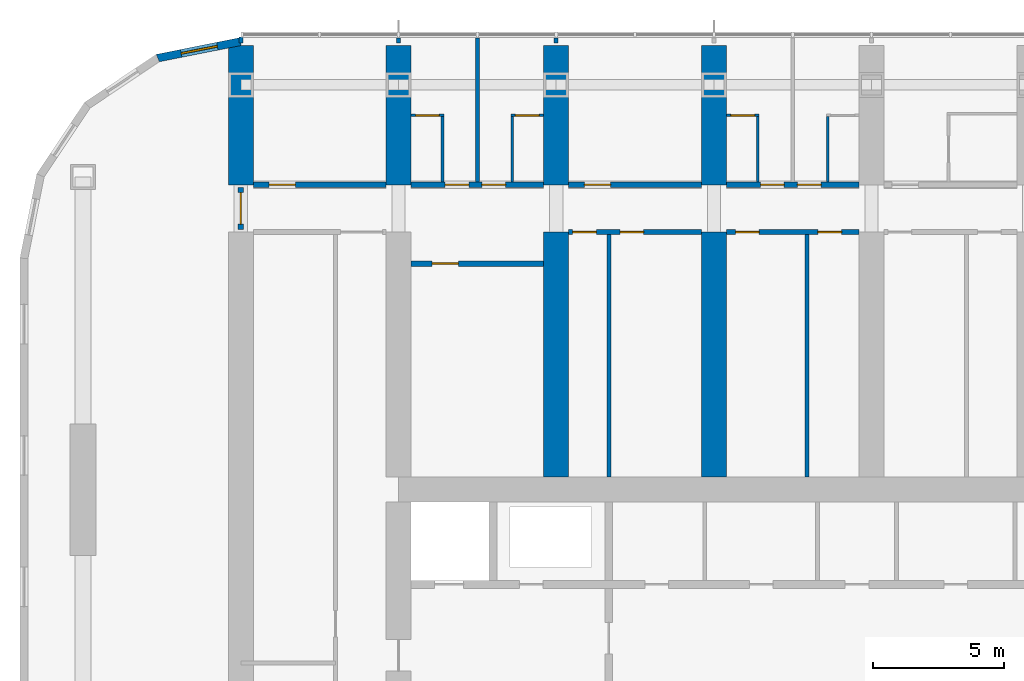
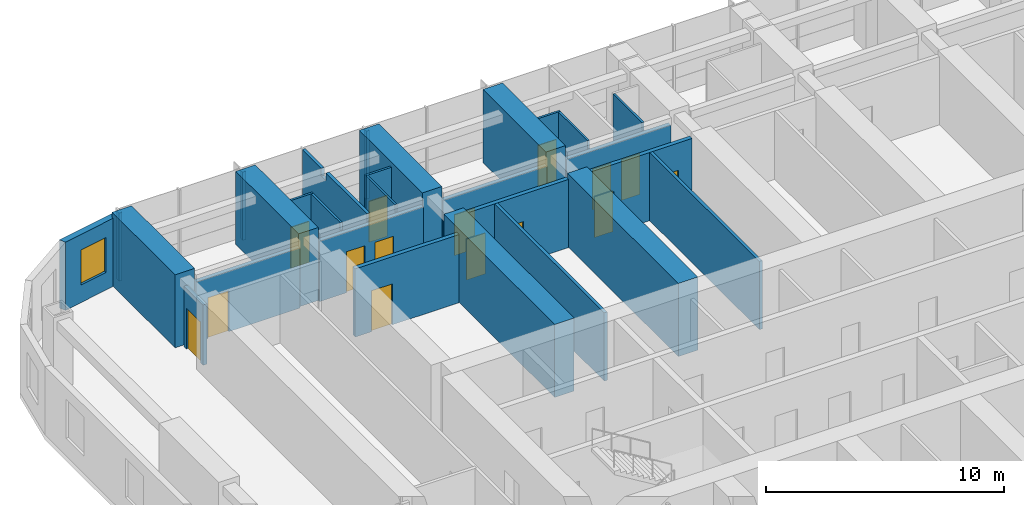
# One storey, part 13 of 21: 28 walls, 15 doors, 1 window, 16 openings.
"""IFC4 building model written with IfcOpenShell, lengths in metres."""

from ifc_helpers import new_model, si_unit, direction, frame, frame_2d, origin, place, context, subcontext, project, spatial, polyline, rectangle, outline, extrude, material, layer, layer_set, type_object, element, fill, save


model = new_model("IFC4")

# Units and contexts
model_context = context("Model", 3, precision=1e-05, world=origin(), true_north=direction((0.0, 1.0)))
body_context = subcontext(model_context, "Body", "Model", "MODEL_VIEW")
ifc_project = project(units=[si_unit("LENGTHUNIT", "METRE"), si_unit("AREAUNIT", "SQUARE_METRE"), si_unit("VOLUMEUNIT", "CUBIC_METRE"), si_unit("PLANEANGLEUNIT", "RADIAN"), si_unit("MASSUNIT", "GRAM", prefix="KILO")], contexts=[model_context])

# Site, building, storey
site_placement = place(None, origin())
site = spatial("IfcSite", under=ifc_project, at=site_placement, CompositionType="ELEMENT")
building_placement = place(site_placement, origin())
building = spatial("IfcBuilding", under=site, at=building_placement, Name="Orbita Commons", CompositionType="ELEMENT")
storey_placement = place(building_placement, frame((0.0, 0.0, 125.64990234375)))
storey = spatial("IfcBuildingStorey", under=building, at=storey_placement, Name="L31", CompositionType="ELEMENT", Elevation=125.64990234375)

# Wall, opening, door
ifc_material_1 = material(Name="Concrete blockwork", Category="masonry")
ifc_layer_1 = layer(ifc_material_1, 0.199951171875)
ifc_layer_set_1 = layer_set([ifc_layer_1], Name="Concrete blockwork")
wall_type_1 = type_object("IfcWallType", Name="Corridor wall 200 blockwork", PredefinedType="SOLIDWALL", material=ifc_layer_set_1)
wall_1_placement = place(storey_placement, frame((12.47509765625, 49.800048828125, 0.0), z_axis=(0.0, 0.0, 1.0), x_axis=(1.0, 0.0, 0.0)))
wall_1 = element("IfcWall", 1, at=wall_1_placement, inside=storey, type_object=wall_type_1, Name="Corridor wall 200 blockwork L31", PredefinedType="SOLIDWALL", context=body_context, shape_type="SweptSolid", body=[
    extrude(outline(polyline([(0.0, 0.0), (5.0498046875, 0.0), (5.050048828125, 3.10009765625), (0.0, 3.10009765625), (0.0, 0.0)])), frame((0.0, 0.10009765625, 0.0), z_axis=(0.0, -1.0, 0.0), x_axis=(1.0, 0.0, 0.0)), (0.0, 0.0, 1.0), 0.199951171875),
])
opening_1_placement = place(wall_1_placement, frame((0.60009765625, 0.0, 0.0)))
opening_1 = element("IfcOpeningElement", 2, at=opening_1_placement, cuts=wall_1, Name="Opening D06", PredefinedType="OPENING", context=body_context, shape_type="SweptSolid", body=[
    extrude(rectangle(XDim=1.0, YDim=2.10009765625, at=frame_2d((0.5, 1.050048828125))), frame((0.0, 0.10986328125, 0.0), z_axis=(0.0, -1.0, 0.0), x_axis=(1.0, 0.0, 0.0)), (0.0, 0.0, 1.0), 0.219970703125),
])
ifc_material_2 = material(Name="Steel-faced fire door leaf", Category="steel")
door_type_1 = type_object("IfcDoorType", Name="Corridor door 20 min 1000x2100", OperationType="SINGLE_SWING_LEFT", PredefinedType="DOOR", material=ifc_material_2)
door_1_placement = place(opening_1_placement, origin())
door_1 = element("IfcDoor", 3, at=door_1_placement, inside=storey, type_object=door_type_1, Name="Sea-view lounge L31-N00 door", OperationType="SINGLE_SWING_LEFT", OverallHeight=2.10009765625, OverallWidth=1.0, PredefinedType="DOOR", context=body_context, shape_type="SweptSolid", body=[
    extrude(rectangle(XDim=1.0, YDim=2.10009765625, at=frame_2d((0.5, 1.050048828125))), frame((0.0, 0.02490234375, 0.0), z_axis=(0.0, -1.0, 0.0), x_axis=(1.0, 0.0, 0.0)), (0.0, 0.0, 1.0), 0.050048828125),
])
fill(opening_1, door_1)

# Wall, openings, doors
wall_2_placement = place(storey_placement, frame((18.47509765625, 49.800048828125, 0.0), z_axis=(0.0, 0.0, 1.0), x_axis=(1.0, 0.0, 0.0)))
wall_2 = element("IfcWall", 4, at=wall_2_placement, inside=storey, type_object=wall_type_1, Name="Corridor wall 200 blockwork L31", PredefinedType="SOLIDWALL", context=body_context, shape_type="SweptSolid", body=[
    extrude(outline(polyline([(0.0, 0.0), (5.0498046875, 0.0), (5.050048828125, 3.10009765625), (0.0, 3.10009765625), (0.0, 0.0)])), frame((0.0, 0.10009765625, 0.0), z_axis=(0.0, -1.0, 0.0), x_axis=(1.0, 0.0, 0.0)), (0.0, 0.0, 1.0), 0.199951171875),
])
opening_2_placement = place(wall_2_placement, frame((1.300048828125, 0.0, 0.0)))
opening_2 = element("IfcOpeningElement", 5, at=opening_2_placement, cuts=wall_2, Name="Opening D11", PredefinedType="OPENING", context=body_context, shape_type="SweptSolid", body=[
    extrude(rectangle(XDim=0.89990234375, YDim=2.10009765625, at=frame_2d((0.449951171875, 1.050048828125))), frame((0.0, 0.10986328125, 0.0), z_axis=(0.0, -1.0, 0.0), x_axis=(1.0, 0.0, 0.0)), (0.0, 0.0, 1.0), 0.219970703125),
])
opening_3_placement = place(wall_2_placement, frame((2.699951171875, 0.0, 0.0)))
opening_3 = element("IfcOpeningElement", 6, at=opening_3_placement, cuts=wall_2, Name="Opening D11", PredefinedType="OPENING", context=body_context, shape_type="SweptSolid", body=[
    extrude(rectangle(XDim=0.89990234375, YDim=2.10009765625, at=frame_2d((0.449951171875, 1.050048828125))), frame((0.0, 0.10986328125, 0.0), z_axis=(0.0, -1.0, 0.0), x_axis=(1.0, 0.0, 0.0)), (0.0, 0.0, 1.0), 0.219970703125),
])
ifc_material_3 = material(Name="Steel-faced fire door leaf", Category="steel")
door_type_2 = type_object("IfcDoorType", Name="Corridor door 20 min 900x2100", OperationType="SINGLE_SWING_LEFT", PredefinedType="DOOR", material=ifc_material_3)
door_2_placement = place(opening_2_placement, origin())
door_2 = element("IfcDoor", 7, at=door_2_placement, inside=storey, type_object=door_type_2, Name="Cluster bedroom L31-N02 door", OperationType="SINGLE_SWING_LEFT", OverallHeight=2.10009765625, OverallWidth=0.89990234375, PredefinedType="DOOR", context=body_context, shape_type="SweptSolid", body=[
    extrude(rectangle(XDim=0.89990234375, YDim=2.10009765625, at=frame_2d((0.449951171875, 1.050048828125))), frame((0.0, 0.02490234375, 0.0), z_axis=(0.0, -1.0, 0.0), x_axis=(1.0, 0.0, 0.0)), (0.0, 0.0, 1.0), 0.050048828125),
])
fill(opening_2, door_2)
door_3_placement = place(opening_3_placement, origin())
door_3 = element("IfcDoor", 8, at=door_3_placement, inside=storey, type_object=door_type_2, Name="Cluster bedroom L31-N03 door", OperationType="SINGLE_SWING_LEFT", OverallHeight=2.10009765625, OverallWidth=0.89990234375, PredefinedType="DOOR", context=body_context, shape_type="SweptSolid", body=[
    extrude(rectangle(XDim=0.89990234375, YDim=2.10009765625, at=frame_2d((0.449951171875, 1.050048828125))), frame((0.0, 0.02490234375, 0.0), z_axis=(0.0, -1.0, 0.0), x_axis=(1.0, 0.0, 0.0)), (0.0, 0.0, 1.0), 0.050048828125),
])
fill(opening_3, door_3)

# Wall, opening, door
wall_3_placement = place(storey_placement, frame((24.47509765625, 49.800048828125, 0.0), z_axis=(0.0, 0.0, 1.0), x_axis=(1.0, 0.0, 0.0)))
wall_3 = element("IfcWall", 9, at=wall_3_placement, inside=storey, type_object=wall_type_1, Name="Corridor wall 200 blockwork L31", PredefinedType="SOLIDWALL", context=body_context, shape_type="SweptSolid", body=[
    extrude(outline(polyline([(0.0, 0.0), (5.0498046875, 0.0), (5.050048828125, 3.10009765625), (0.0, 3.10009765625), (0.0, 0.0)])), frame((0.0, 0.10009765625, 0.0), z_axis=(0.0, -1.0, 0.0), x_axis=(1.0, 0.0, 0.0)), (0.0, 0.0, 1.0), 0.199951171875),
])
opening_4_placement = place(wall_3_placement, frame((0.60009765625, 0.0, 0.0)))
opening_4 = element("IfcOpeningElement", 10, at=opening_4_placement, cuts=wall_3, Name="Opening D06", PredefinedType="OPENING", context=body_context, shape_type="SweptSolid", body=[
    extrude(rectangle(XDim=1.0, YDim=2.10009765625, at=frame_2d((0.5, 1.050048828125))), frame((0.0, 0.10986328125, 0.0), z_axis=(0.0, -1.0, 0.0), x_axis=(1.0, 0.0, 0.0)), (0.0, 0.0, 1.0), 0.219970703125),
])
door_4_placement = place(opening_4_placement, origin())
door_4 = element("IfcDoor", 11, at=door_4_placement, inside=storey, type_object=door_type_1, Name="Sea-view lounge L31-N04 door", OperationType="SINGLE_SWING_LEFT", OverallHeight=2.10009765625, OverallWidth=1.0, PredefinedType="DOOR", context=body_context, shape_type="SweptSolid", body=[
    extrude(rectangle(XDim=1.0, YDim=2.10009765625, at=frame_2d((0.5, 1.050048828125))), frame((0.0, 0.02490234375, 0.0), z_axis=(0.0, -1.0, 0.0), x_axis=(1.0, 0.0, 0.0)), (0.0, 0.0, 1.0), 0.050048828125),
])
fill(opening_4, door_4)

# Wall, openings, doors
wall_4_placement = place(storey_placement, frame((30.47509765625, 49.800048828125, 0.0), z_axis=(0.0, 0.0, 1.0), x_axis=(1.0, 0.0, 0.0)))
wall_4 = element("IfcWall", 12, at=wall_4_placement, inside=storey, type_object=wall_type_1, Name="Corridor wall 200 blockwork L31", PredefinedType="SOLIDWALL", context=body_context, shape_type="SweptSolid", body=[
    extrude(outline(polyline([(0.0, 0.0), (5.0498046875, 0.0), (5.050048828125, 3.10009765625), (0.0, 3.10009765625), (0.0, 0.0)])), frame((0.0, 0.10009765625, 0.0), z_axis=(0.0, -1.0, 0.0), x_axis=(1.0, 0.0, 0.0)), (0.0, 0.0, 1.0), 0.199951171875),
])
opening_5_placement = place(wall_4_placement, frame((1.300048828125, 0.0, 0.0)))
opening_5 = element("IfcOpeningElement", 13, at=opening_5_placement, cuts=wall_4, Name="Opening D11", PredefinedType="OPENING", context=body_context, shape_type="SweptSolid", body=[
    extrude(rectangle(XDim=0.89990234375, YDim=2.10009765625, at=frame_2d((0.449951171875, 1.050048828125))), frame((0.0, 0.10986328125, 0.0), z_axis=(0.0, -1.0, 0.0), x_axis=(1.0, 0.0, 0.0)), (0.0, 0.0, 1.0), 0.219970703125),
])
opening_6_placement = place(wall_4_placement, frame((2.699951171875, 0.0, 0.0)))
opening_6 = element("IfcOpeningElement", 14, at=opening_6_placement, cuts=wall_4, Name="Opening D11", PredefinedType="OPENING", context=body_context, shape_type="SweptSolid", body=[
    extrude(rectangle(XDim=0.89990234375, YDim=2.10009765625, at=frame_2d((0.449951171875, 1.050048828125))), frame((0.0, 0.10986328125, 0.0), z_axis=(0.0, -1.0, 0.0), x_axis=(1.0, 0.0, 0.0)), (0.0, 0.0, 1.0), 0.219970703125),
])
door_5_placement = place(opening_5_placement, origin())
door_5 = element("IfcDoor", 15, at=door_5_placement, inside=storey, type_object=door_type_2, Name="Cluster bedroom L31-N06 door", OperationType="SINGLE_SWING_LEFT", OverallHeight=2.10009765625, OverallWidth=0.89990234375, PredefinedType="DOOR", context=body_context, shape_type="SweptSolid", body=[
    extrude(rectangle(XDim=0.89990234375, YDim=2.10009765625, at=frame_2d((0.449951171875, 1.050048828125))), frame((0.0, 0.02490234375, 0.0), z_axis=(0.0, -1.0, 0.0), x_axis=(1.0, 0.0, 0.0)), (0.0, 0.0, 1.0), 0.050048828125),
])
fill(opening_5, door_5)
door_6_placement = place(opening_6_placement, origin())
door_6 = element("IfcDoor", 16, at=door_6_placement, inside=storey, type_object=door_type_2, Name="Cluster bedroom L31-N07 door", OperationType="SINGLE_SWING_LEFT", OverallHeight=2.10009765625, OverallWidth=0.89990234375, PredefinedType="DOOR", context=body_context, shape_type="SweptSolid", body=[
    extrude(rectangle(XDim=0.89990234375, YDim=2.10009765625, at=frame_2d((0.449951171875, 1.050048828125))), frame((0.0, 0.02490234375, 0.0), z_axis=(0.0, -1.0, 0.0), x_axis=(1.0, 0.0, 0.0)), (0.0, 0.0, 1.0), 0.050048828125),
])
fill(opening_6, door_6)

# Wall, opening, door
wall_5_placement = place(storey_placement, frame((12.0, 48.10009765625, 0.0), z_axis=(0.0, 0.0, 1.0), x_axis=(0.0, 1.0, 0.0)))
wall_5 = element("IfcWall", 17, at=wall_5_placement, inside=storey, type_object=wall_type_1, Name="Corridor wall 200 blockwork L31", PredefinedType="SOLIDWALL", context=body_context, shape_type="SweptSolid", body=[
    extrude(outline(polyline([(0.0, 0.0), (1.599853515625, 0.0), (1.60009765625, 3.10009765625), (0.0, 3.10009765625), (0.0, 0.0)])), frame((0.0, 0.10009765625, 0.0), z_axis=(0.0, -1.0, 0.0), x_axis=(1.0, 0.0, 0.0)), (0.0, 0.0, 1.0), 0.199951171875),
])
opening_7_placement = place(wall_5_placement, frame((0.199951171875, 0.0, 0.0)))
opening_7 = element("IfcOpeningElement", 18, at=opening_7_placement, cuts=wall_5, Name="Opening D12", PredefinedType="OPENING", context=body_context, shape_type="SweptSolid", body=[
    extrude(rectangle(XDim=1.199951171875, YDim=2.10009765625, at=frame_2d((0.60009765625, 1.050048828125))), frame((0.0, 0.10986328125, 0.0), z_axis=(0.0, -1.0, 0.0), x_axis=(1.0, 0.0, 0.0)), (0.0, 0.0, 1.0), 0.219970703125),
])
ifc_material_4 = material(Name="Steel-faced fire door leaf", Category="steel")
door_type_3 = type_object("IfcDoorType", Name="Double corridor door 20 min 1200x2100", OperationType="DOUBLE_DOOR_SINGLE_SWING", PredefinedType="DOOR", material=ifc_material_4)
door_7_placement = place(opening_7_placement, origin())
door_7 = element("IfcDoor", 19, at=door_7_placement, inside=storey, type_object=door_type_3, Name="Lounge doors", OperationType="DOUBLE_DOOR_SINGLE_SWING", OverallHeight=2.10009765625, OverallWidth=1.199951171875, PredefinedType="DOOR", context=body_context, shape_type="SweptSolid", body=[
    extrude(rectangle(XDim=1.199951171875, YDim=2.10009765625, at=frame_2d((0.60009765625, 1.050048828125))), frame((0.0, 0.02490234375, 0.0), z_axis=(0.0, -1.0, 0.0), x_axis=(1.0, 0.0, 0.0)), (0.0, 0.0, 1.0), 0.050048828125),
])
fill(opening_7, door_7)

# Wall, openings, doors
ifc_material_5 = material(Name="Hollow concrete block 200", Category="concrete")
ifc_layer_2 = layer(ifc_material_5, 0.199951171875)
ifc_layer_set_2 = layer_set([ifc_layer_2], Name="Hollow concrete block 200")
wall_type_2 = type_object("IfcWallType", Name="Corridor wall 200 hollow concrete block", PredefinedType="SOLIDWALL", material=ifc_layer_set_2)
wall_6_placement = place(storey_placement, frame((24.47509765625, 48.0, 0.0), z_axis=(0.0, 0.0, 1.0), x_axis=(1.0, 0.0, 0.0)))
wall_6 = element("IfcWall", 20, at=wall_6_placement, inside=storey, type_object=wall_type_2, Name="Corridor wall 200 hollow concrete block L31", PredefinedType="SOLIDWALL", context=body_context, shape_type="SweptSolid", body=[
    extrude(rectangle(XDim=5.0498046875, YDim=0.199951171875, at=frame_2d((2.52490234375, 0.0))), origin(), (0.0, 0.0, 1.0), 3.5),
])
opening_8_placement = place(wall_6_placement, frame((0.14990234375, 0.0, 0.0)))
opening_8 = element("IfcOpeningElement", 21, at=opening_8_placement, cuts=wall_6, Name="Opening D11", PredefinedType="OPENING", context=body_context, shape_type="SweptSolid", body=[
    extrude(rectangle(XDim=0.89990234375, YDim=2.10009765625, at=frame_2d((0.449951171875, 1.050048828125))), frame((0.0, 0.10986328125, 0.0), z_axis=(0.0, -1.0, 0.0), x_axis=(1.0, 0.0, 0.0)), (0.0, 0.0, 1.0), 0.219970703125),
])
opening_9_placement = place(wall_6_placement, frame((1.955078125, 0.0, 0.0)))
opening_9 = element("IfcOpeningElement", 22, at=opening_9_placement, cuts=wall_6, Name="Opening D11", PredefinedType="OPENING", context=body_context, shape_type="SweptSolid", body=[
    extrude(rectangle(XDim=0.89990234375, YDim=2.10009765625, at=frame_2d((0.449951171875, 1.050048828125))), frame((0.0, 0.10986328125, 0.0), z_axis=(0.0, -1.0, 0.0), x_axis=(1.0, 0.0, 0.0)), (0.0, 0.0, 1.0), 0.219970703125),
])
door_8_placement = place(opening_8_placement, origin())
door_8 = element("IfcDoor", 23, at=door_8_placement, inside=storey, type_object=door_type_2, Name="Sprinkler valve room L31-BDN24n door", OperationType="SINGLE_SWING_LEFT", OverallHeight=2.10009765625, OverallWidth=0.89990234375, PredefinedType="DOOR", context=body_context, shape_type="SweptSolid", body=[
    extrude(rectangle(XDim=0.89990234375, YDim=2.10009765625, at=frame_2d((0.449951171875, 1.050048828125))), frame((0.0, 0.02490234375, 0.0), z_axis=(0.0, -1.0, 0.0), x_axis=(1.0, 0.0, 0.0)), (0.0, 0.0, 1.0), 0.050048828125),
])
fill(opening_8, door_8)
door_9_placement = place(opening_9_placement, origin())
door_9 = element("IfcDoor", 24, at=door_9_placement, inside=storey, type_object=door_type_2, Name="Ventilation plant room north L31-BDN24 door", OperationType="SINGLE_SWING_LEFT", OverallHeight=2.10009765625, OverallWidth=0.89990234375, PredefinedType="DOOR", context=body_context, shape_type="SweptSolid", body=[
    extrude(rectangle(XDim=0.89990234375, YDim=2.10009765625, at=frame_2d((0.449951171875, 1.050048828125))), frame((0.0, 0.02490234375, 0.0), z_axis=(0.0, -1.0, 0.0), x_axis=(1.0, 0.0, 0.0)), (0.0, 0.0, 1.0), 0.050048828125),
])
fill(opening_9, door_9)

wall_7_placement = place(storey_placement, frame((30.47509765625, 48.0, 0.0), z_axis=(0.0, 0.0, 1.0), x_axis=(1.0, 0.0, 0.0)))
wall_7 = element("IfcWall", 25, at=wall_7_placement, inside=storey, type_object=wall_type_2, Name="Corridor wall 200 hollow concrete block L31", PredefinedType="SOLIDWALL", context=body_context, shape_type="SweptSolid", body=[
    extrude(rectangle(XDim=5.0498046875, YDim=0.199951171875, at=frame_2d((2.52490234375, 0.0))), origin(), (0.0, 0.0, 1.0), 3.5),
])
opening_10_placement = place(wall_7_placement, frame((0.35009765625, 0.0, 0.0)))
opening_10 = element("IfcOpeningElement", 26, at=opening_10_placement, cuts=wall_7, Name="Opening D11", PredefinedType="OPENING", context=body_context, shape_type="SweptSolid", body=[
    extrude(rectangle(XDim=0.89990234375, YDim=2.10009765625, at=frame_2d((0.449951171875, 1.050048828125))), frame((0.0, 0.10986328125, 0.0), z_axis=(0.0, -1.0, 0.0), x_axis=(1.0, 0.0, 0.0)), (0.0, 0.0, 1.0), 0.219970703125),
])
opening_11_placement = place(wall_7_placement, frame((3.485107421875, 0.0, 0.0)))
opening_11 = element("IfcOpeningElement", 27, at=opening_11_placement, cuts=wall_7, Name="Opening D11", PredefinedType="OPENING", context=body_context, shape_type="SweptSolid", body=[
    extrude(rectangle(XDim=0.89990234375, YDim=2.10009765625, at=frame_2d((0.449951171875, 1.050048828125))), frame((0.0, 0.10986328125, 0.0), z_axis=(0.0, -1.0, 0.0), x_axis=(1.0, 0.0, 0.0)), (0.0, 0.0, 1.0), 0.219970703125),
])
door_10_placement = place(opening_10_placement, origin())
door_10 = element("IfcDoor", 28, at=door_10_placement, inside=storey, type_object=door_type_2, Name="Riser access cupboard L31-BDN30n door", OperationType="SINGLE_SWING_LEFT", OverallHeight=2.10009765625, OverallWidth=0.89990234375, PredefinedType="DOOR", context=body_context, shape_type="SweptSolid", body=[
    extrude(rectangle(XDim=0.89990234375, YDim=2.10009765625, at=frame_2d((0.449951171875, 1.050048828125))), frame((0.0, 0.02490234375, 0.0), z_axis=(0.0, -1.0, 0.0), x_axis=(1.0, 0.0, 0.0)), (0.0, 0.0, 1.0), 0.050048828125),
])
fill(opening_10, door_10)
door_11_placement = place(opening_11_placement, origin())
door_11 = element("IfcDoor", 29, at=door_11_placement, inside=storey, type_object=door_type_2, Name="Parcel and post room L31-BDN30 door", OperationType="SINGLE_SWING_LEFT", OverallHeight=2.10009765625, OverallWidth=0.89990234375, PredefinedType="DOOR", context=body_context, shape_type="SweptSolid", body=[
    extrude(rectangle(XDim=0.89990234375, YDim=2.10009765625, at=frame_2d((0.449951171875, 1.050048828125))), frame((0.0, 0.02490234375, 0.0), z_axis=(0.0, -1.0, 0.0), x_axis=(1.0, 0.0, 0.0)), (0.0, 0.0, 1.0), 0.050048828125),
])
fill(opening_11, door_11)

# Wall, opening, door
wall_8_placement = place(storey_placement, frame((18.47509765625, 46.800048828125, 0.0), z_axis=(0.0, 0.0, 1.0), x_axis=(1.0, 0.0, 0.0)))
wall_8 = element("IfcWall", 30, at=wall_8_placement, inside=storey, type_object=wall_type_2, Name="Corridor wall 200 hollow concrete block L31", PredefinedType="SOLIDWALL", context=body_context, shape_type="SweptSolid", body=[
    extrude(rectangle(XDim=5.0498046875, YDim=0.199951171875, at=frame_2d((2.52490234375, 0.0))), origin(), (0.0, 0.0, 1.0), 3.5),
])
opening_12_placement = place(wall_8_placement, frame((0.800048828125, 0.0, 0.0)))
opening_12 = element("IfcOpeningElement", 31, at=opening_12_placement, cuts=wall_8, Name="Opening D06", PredefinedType="OPENING", context=body_context, shape_type="SweptSolid", body=[
    extrude(rectangle(XDim=1.0, YDim=2.10009765625, at=frame_2d((0.5, 1.050048828125))), frame((0.0, 0.10986328125, 0.0), z_axis=(0.0, -1.0, 0.0), x_axis=(1.0, 0.0, 0.0)), (0.0, 0.0, 1.0), 0.219970703125),
])
door_12_placement = place(opening_12_placement, origin())
door_12 = element("IfcDoor", 32, at=door_12_placement, inside=storey, type_object=door_type_1, Name="Electrical and data room L31-BDN18 door", OperationType="SINGLE_SWING_LEFT", OverallHeight=2.10009765625, OverallWidth=1.0, PredefinedType="DOOR", context=body_context, shape_type="SweptSolid", body=[
    extrude(rectangle(XDim=1.0, YDim=2.10009765625, at=frame_2d((0.5, 1.050048828125))), frame((0.0, 0.02490234375, 0.0), z_axis=(0.0, -1.0, 0.0), x_axis=(1.0, 0.0, 0.0)), (0.0, 0.0, 1.0), 0.050048828125),
])
fill(opening_12, door_12)

# Walls
ifc_material_6 = material(Name="Concrete C50/60", Category="concrete")
ifc_layer_3 = layer(ifc_material_6, 0.949951171875)
ifc_layer_set_3 = layer_set([ifc_layer_3], Name="Concrete C50/60")
wall_type_3 = type_object("IfcWallType", Name="Cross wall 950 C50/60", PredefinedType="SHEAR", material=ifc_layer_set_3)
for number, where, z_axis, x_axis, name in (
    (33, (12.0, 49.800048828125, 0.0), (0.0, 0.0, 1.0), (0.0, 1.0, 0.0), "Cross wall 3 north outer L31"),
    (34, (18.0, 49.800048828125, 0.0), (0.0, 0.0, 1.0), (0.0, 1.0, 0.0), "Cross wall 4 north outer L31"),
    (35, (24.0, 49.800048828125, 0.0), (0.0, 0.0, 1.0), (0.0, 1.0, 0.0), "Cross wall 5 north outer L31"),
):
    element("IfcWall", number, at=place(storey_placement, frame(where, z_axis=z_axis, x_axis=x_axis)), inside=storey, type_object=wall_type_3, Name=name, PredefinedType="SHEAR", context=body_context, shape_type="SweptSolid", body=[
        extrude(rectangle(XDim=5.300048828125, YDim=0.949951171875, at=frame_2d((2.64990234375, 0.0))), origin(), (0.0, 0.0, 1.0), 3.75),
    ])
wall_9_placement = place(storey_placement, frame((24.0, 38.675048828125, 0.0), z_axis=(0.0, 0.0, 1.0), x_axis=(0.0, 1.0, 0.0)))
element("IfcWall", 36, at=wall_9_placement, inside=storey, type_object=wall_type_3, Name="Cross wall 5 north inner L31", PredefinedType="SHEAR", context=body_context, shape_type="SweptSolid", body=[
    extrude(rectangle(XDim=9.324951171875, YDim=0.949951171875, at=frame_2d((4.66259765625, 0.0))), origin(), (0.0, 0.0, 1.0), 3.75),
])
wall_10_placement = place(storey_placement, frame((30.0, 49.800048828125, 0.0), z_axis=(0.0, 0.0, 1.0), x_axis=(0.0, 1.0, 0.0)))
element("IfcWall", 37, at=wall_10_placement, inside=storey, type_object=wall_type_3, Name="Cross wall 6 north outer L31", PredefinedType="SHEAR", context=body_context, shape_type="SweptSolid", body=[
    extrude(rectangle(XDim=5.300048828125, YDim=0.949951171875, at=frame_2d((2.64990234375, 0.0))), origin(), (0.0, 0.0, 1.0), 3.75),
])
wall_11_placement = place(storey_placement, frame((30.0, 38.675048828125, 0.0), z_axis=(0.0, 0.0, 1.0), x_axis=(0.0, 1.0, 0.0)))
element("IfcWall", 38, at=wall_11_placement, inside=storey, type_object=wall_type_3, Name="Cross wall 6 north inner L31", PredefinedType="SHEAR", context=body_context, shape_type="SweptSolid", body=[
    extrude(rectangle(XDim=9.324951171875, YDim=0.949951171875, at=frame_2d((4.66259765625, 0.0))), origin(), (0.0, 0.0, 1.0), 3.75),
])

# Wall, opening, door
ifc_material_7 = material(Name="Moisture-resistant plasterboard on steel studs", Category="steel")
ifc_layer_4 = layer(ifc_material_7, 0.10009765625)
ifc_layer_set_4 = layer_set([ifc_layer_4], Name="Moisture-resistant plasterboard on steel studs")
wall_type_4 = type_object("IfcWallType", Name="En-suite partition 100", PredefinedType="PARTITIONING", material=ifc_layer_set_4)
wall_12_placement = place(storey_placement, frame((18.47509765625, 52.441650390625, 0.0), z_axis=(0.0, 0.0, 1.0), x_axis=(1.0, 0.0, 0.0)))
wall_12 = element("IfcWall", 39, at=wall_12_placement, inside=storey, type_object=wall_type_4, Name="En-suite partition 100 L31", PredefinedType="PARTITIONING", context=body_context, shape_type="SweptSolid", body=[
    extrude(rectangle(XDim=1.25, YDim=0.10009765625, at=frame_2d((0.625, 0.0))), origin(), (0.0, 0.0, 1.0), 3.5),
])
opening_13_placement = place(wall_12_placement, frame((0.175048828125, 0.0, 0.0)))
opening_13 = element("IfcOpeningElement", 40, at=opening_13_placement, cuts=wall_12, Name="Opening D09", PredefinedType="OPENING", context=body_context, shape_type="SweptSolid", body=[
    extrude(rectangle(XDim=0.89990234375, YDim=2.10009765625, at=frame_2d((0.449951171875, 1.050048828125))), frame((0.0, 0.06005859375, 0.0), z_axis=(0.0, -1.0, 0.0), x_axis=(1.0, 0.0, 0.0)), (0.0, 0.0, 1.0), 0.1201171875),
])
ifc_material_8 = material(Name="Laminated timber door leaf", Category="wood")
door_type_4 = type_object("IfcDoorType", Name="En-suite door 900x2100", OperationType="SINGLE_SWING_RIGHT", PredefinedType="DOOR", material=ifc_material_8)
door_13_placement = place(opening_13_placement, origin())
door_13 = element("IfcDoor", 41, at=door_13_placement, inside=storey, type_object=door_type_4, Name="En-suite L31-N02 door", OperationType="SINGLE_SWING_RIGHT", OverallHeight=2.10009765625, OverallWidth=0.89990234375, PredefinedType="DOOR", context=body_context, shape_type="SweptSolid", body=[
    extrude(rectangle(XDim=0.89990234375, YDim=2.10009765625, at=frame_2d((0.449951171875, 1.050048828125))), frame((0.0, 0.02490234375, 0.0), z_axis=(0.0, -1.0, 0.0), x_axis=(1.0, 0.0, 0.0)), (0.0, 0.0, 1.0), 0.050048828125),
])
fill(opening_13, door_13)

# Wall
wall_13_placement = place(storey_placement, frame((19.675048828125, 52.3916015625, 0.0), z_axis=(0.0, 0.0, 1.0), x_axis=(0.0, -1.0, 0.0)))
element("IfcWall", 42, at=wall_13_placement, inside=storey, type_object=wall_type_4, Name="En-suite partition 100 L31", PredefinedType="PARTITIONING", context=body_context, shape_type="SweptSolid", body=[
    extrude(outline(polyline([(0.0, 0.0), (2.49169921875, 0.0), (2.49169921875, 3.10009765625), (2.443603515625, 3.10009765625), (2.441650390625, 3.5), (0.0, 3.5), (0.0, 0.0)])), frame((0.0, 0.050048828125, 0.0), z_axis=(0.0, -1.0, 0.0), x_axis=(1.0, 0.0, 0.0)), (0.0, 0.0, 1.0), 0.10009765625),
])

# Wall, opening, door
wall_14_placement = place(storey_placement, frame((22.27490234375, 52.441650390625, 0.0), z_axis=(0.0, 0.0, 1.0), x_axis=(1.0, 0.0, 0.0)))
wall_14 = element("IfcWall", 43, at=wall_14_placement, inside=storey, type_object=wall_type_4, Name="En-suite partition 100 L31", PredefinedType="PARTITIONING", context=body_context, shape_type="SweptSolid", body=[
    extrude(rectangle(XDim=1.25, YDim=0.10009765625, at=frame_2d((0.625, 0.0))), origin(), (0.0, 0.0, 1.0), 3.5),
])
opening_14_placement = place(wall_14_placement, frame((0.175048828125, 0.0, 0.0)))
opening_14 = element("IfcOpeningElement", 44, at=opening_14_placement, cuts=wall_14, Name="Opening D09", PredefinedType="OPENING", context=body_context, shape_type="SweptSolid", body=[
    extrude(rectangle(XDim=0.89990234375, YDim=2.10009765625, at=frame_2d((0.449951171875, 1.050048828125))), frame((0.0, 0.06005859375, 0.0), z_axis=(0.0, -1.0, 0.0), x_axis=(1.0, 0.0, 0.0)), (0.0, 0.0, 1.0), 0.1201171875),
])
door_14_placement = place(opening_14_placement, origin())
door_14 = element("IfcDoor", 45, at=door_14_placement, inside=storey, type_object=door_type_4, Name="En-suite L31-N03 door", OperationType="SINGLE_SWING_RIGHT", OverallHeight=2.10009765625, OverallWidth=0.89990234375, PredefinedType="DOOR", context=body_context, shape_type="SweptSolid", body=[
    extrude(rectangle(XDim=0.89990234375, YDim=2.10009765625, at=frame_2d((0.449951171875, 1.050048828125))), frame((0.0, 0.02490234375, 0.0), z_axis=(0.0, -1.0, 0.0), x_axis=(1.0, 0.0, 0.0)), (0.0, 0.0, 1.0), 0.050048828125),
])
fill(opening_14, door_14)

# Wall
wall_15_placement = place(storey_placement, frame((22.324951171875, 52.3916015625, 0.0), z_axis=(0.0, 0.0, 1.0), x_axis=(0.0, -1.0, 0.0)))
element("IfcWall", 46, at=wall_15_placement, inside=storey, type_object=wall_type_4, Name="En-suite partition 100 L31", PredefinedType="PARTITIONING", context=body_context, shape_type="SweptSolid", body=[
    extrude(outline(polyline([(0.0, 0.0), (2.49169921875, 0.0), (2.49169921875, 3.10009765625), (2.443603515625, 3.10009765625), (2.441650390625, 3.5), (0.0, 3.5), (0.0, 0.0)])), frame((0.0, 0.050048828125, 0.0), z_axis=(0.0, -1.0, 0.0), x_axis=(1.0, 0.0, 0.0)), (0.0, 0.0, 1.0), 0.10009765625),
])

# Wall, opening, door
wall_16_placement = place(storey_placement, frame((30.47509765625, 52.441650390625, 0.0), z_axis=(0.0, 0.0, 1.0), x_axis=(1.0, 0.0, 0.0)))
wall_16 = element("IfcWall", 47, at=wall_16_placement, inside=storey, type_object=wall_type_4, Name="En-suite partition 100 L31", PredefinedType="PARTITIONING", context=body_context, shape_type="SweptSolid", body=[
    extrude(rectangle(XDim=1.25, YDim=0.10009765625, at=frame_2d((0.625, 0.0))), origin(), (0.0, 0.0, 1.0), 3.5),
])
opening_15_placement = place(wall_16_placement, frame((0.175048828125, 0.0, 0.0)))
opening_15 = element("IfcOpeningElement", 48, at=opening_15_placement, cuts=wall_16, Name="Opening D09", PredefinedType="OPENING", context=body_context, shape_type="SweptSolid", body=[
    extrude(rectangle(XDim=0.89990234375, YDim=2.10009765625, at=frame_2d((0.449951171875, 1.050048828125))), frame((0.0, 0.06005859375, 0.0), z_axis=(0.0, -1.0, 0.0), x_axis=(1.0, 0.0, 0.0)), (0.0, 0.0, 1.0), 0.1201171875),
])
door_15_placement = place(opening_15_placement, origin())
door_15 = element("IfcDoor", 49, at=door_15_placement, inside=storey, type_object=door_type_4, Name="En-suite L31-N06 door", OperationType="SINGLE_SWING_RIGHT", OverallHeight=2.10009765625, OverallWidth=0.89990234375, PredefinedType="DOOR", context=body_context, shape_type="SweptSolid", body=[
    extrude(rectangle(XDim=0.89990234375, YDim=2.10009765625, at=frame_2d((0.449951171875, 1.050048828125))), frame((0.0, 0.02490234375, 0.0), z_axis=(0.0, -1.0, 0.0), x_axis=(1.0, 0.0, 0.0)), (0.0, 0.0, 1.0), 0.050048828125),
])
fill(opening_15, door_15)

# Walls
for number, where, z_axis, x_axis, name in (
    (50, (31.675048828125, 52.3916015625, 0.0), (0.0, 0.0, 1.0), (0.0, -1.0, 0.0), "En-suite partition 100 L31"),
    (51, (34.324951171875, 52.3916015625, 0.0), (0.0, 0.0, 1.0), (0.0, -1.0, 0.0), "En-suite partition 100 L31"),
):
    element("IfcWall", number, at=place(storey_placement, frame(where, z_axis=z_axis, x_axis=x_axis)), inside=storey, type_object=wall_type_4, Name=name, PredefinedType="PARTITIONING", context=body_context, shape_type="SweptSolid", body=[
        extrude(outline(polyline([(0.0, 0.0), (2.49169921875, 0.0), (2.49169921875, 3.10009765625), (2.443603515625, 3.10009765625), (2.441650390625, 3.5), (0.0, 3.5), (0.0, 0.0)])), frame((0.0, 0.050048828125, 0.0), z_axis=(0.0, -1.0, 0.0), x_axis=(1.0, 0.0, 0.0)), (0.0, 0.0, 1.0), 0.10009765625),
    ])
ifc_material_9 = material(Name="Gypsum plasterboard on steel studs", Category="steel")
ifc_layer_5 = layer(ifc_material_9, 0.14990234375)
ifc_layer_set_5 = layer_set([ifc_layer_5], Name="Gypsum plasterboard on steel studs")
wall_type_5 = type_object("IfcWallType", Name="Partition 150 plasterboard", PredefinedType="PARTITIONING", material=ifc_layer_set_5)
for number, where, z_axis, x_axis, name in (
    (52, (26.0048828125, 38.675048828125, 0.0), (0.0, 0.0, 1.0), (0.0, 1.0, 0.0), "Partition 150 plasterboard L31"),
    (53, (33.534912109375, 38.675048828125, 0.0), (0.0, 0.0, 1.0), (0.0, 1.0, 0.0), "Partition 150 plasterboard L31"),
):
    element("IfcWall", number, at=place(storey_placement, frame(where, z_axis=z_axis, x_axis=x_axis)), inside=storey, type_object=wall_type_5, Name=name, PredefinedType="PARTITIONING", context=body_context, shape_type="SweptSolid", body=[
        extrude(rectangle(XDim=9.224853515625, YDim=0.14990234375, at=frame_2d((4.6123046875, 0.0))), origin(), (0.0, 0.0, 1.0), 3.5),
    ])
wall_17_placement = place(storey_placement, frame((12.0, 55.199951171875, 0.0), z_axis=(0.0, 0.0, 1.0), x_axis=(0.0, 1.0, 0.0)))
element("IfcWall", 54, at=wall_17_placement, inside=storey, type_object=wall_type_5, Name="Partition 150 plasterboard L31", PredefinedType="PARTITIONING", context=body_context, shape_type="SweptSolid", body=[
    extrude(rectangle(XDim=0.219970703125, YDim=0.14990234375, at=frame_2d((0.10986328125, 0.0))), origin(), (0.0, 0.0, 1.0), 3.5),
])
for number, where, z_axis, x_axis, name in (
    (55, (18.0, 55.199951171875, 0.0), (0.0, 0.0, 1.0), (0.0, 1.0, 0.0), "Partition 150 plasterboard L31"),
    (56, (24.0, 55.199951171875, 0.0), (0.0, 0.0, 1.0), (0.0, 1.0, 0.0), "Partition 150 plasterboard L31"),
):
    element("IfcWall", number, at=place(storey_placement, frame(where, z_axis=z_axis, x_axis=x_axis)), inside=storey, type_object=wall_type_5, Name=name, PredefinedType="PARTITIONING", context=body_context, shape_type="SweptSolid", body=[
        extrude(rectangle(XDim=0.18994140625, YDim=0.14990234375, at=frame_2d((0.094970703125, 0.0))), origin(), (0.0, 0.0, 1.0), 3.5),
    ])
ifc_material_10 = material(Name="Gypsum plasterboard on steel studs", Category="steel")
ifc_layer_6 = layer(ifc_material_10, 0.14990234375)
ifc_layer_set_6 = layer_set([ifc_layer_6], Name="Gypsum plasterboard on steel studs")
wall_type_6 = type_object("IfcWallType", Name="Party wall 150 plasterboard", PredefinedType="PARTITIONING", material=ifc_layer_set_6)
wall_18_placement = place(storey_placement, frame((21.0, 55.389892578125, 0.0), z_axis=(0.0, 0.0, 1.0), x_axis=(0.0, -1.0, 0.0)))
element("IfcWall", 57, at=wall_18_placement, inside=storey, type_object=wall_type_6, Name="Party wall 150 plasterboard L31", PredefinedType="PARTITIONING", context=body_context, shape_type="SweptSolid", body=[
    extrude(outline(polyline([(0.0, 0.0), (5.489990234375, 0.0), (5.489990234375, 3.10009765625), (5.44189453125, 3.10009765625), (5.43994140625, 3.5), (1.991943359375, 3.5), (1.989990234375, 3.10009765625), (1.592041015625, 3.10009765625), (1.590087890625, 3.5), (0.0, 3.5), (0.0, 0.0)])), frame((0.0, 0.074951171875, 0.0), z_axis=(0.0, -1.0, 0.0), x_axis=(1.0, 0.0, 0.0)), (0.0, 0.0, 1.0), 0.14990234375),
])

# Wall, opening, window
ifc_material_11 = material(Name="Precast concrete C40/50, white board-marked finish", Category="concrete")
ifc_layer_7 = layer(ifc_material_11, 0.300048828125)
ifc_layer_set_7 = layer_set([ifc_layer_7], Name="Precast concrete C40/50, white board-marked finish")
wall_type_7 = type_object("IfcWallType", Name="Precast concrete end shield 300", PredefinedType="SOLIDWALL", material=ifc_layer_set_7)
wall_19_placement = place(storey_placement, frame((12.0, 55.25, 0.0), z_axis=(0.0, 0.0, 1.0), x_axis=(-0.980787251524, -0.195080412259, 0.0)))
wall_19 = element("IfcWall", 58, at=wall_19_placement, inside=storey, type_object=wall_type_7, Name="End shield NW chord 1 L31", PredefinedType="SOLIDWALL", context=body_context, shape_type="SweptSolid", body=[
    extrude(outline(polyline([(-0.02978515625, -0.14990234375), (3.24853515625, -0.14990234375), (3.18896484375, 0.14990234375), (0.02978515625, 0.14990234375), (-0.02978515625, -0.14990234375)])), origin(), (0.0, 0.0, 1.0), 3.5),
])
opening_16_placement = place(wall_19_placement, frame((0.909423828125, 0.0, 0.89990234375)))
opening_16 = element("IfcOpeningElement", 59, at=opening_16_placement, cuts=wall_19, Name="Opening W02", PredefinedType="OPENING", context=body_context, shape_type="SweptSolid", body=[
    extrude(rectangle(XDim=1.39990234375, YDim=1.800048828125, at=frame_2d((0.699951171875, 0.89990234375))), frame((0.0, 0.159912109375, 0.0), z_axis=(0.0, -1.0, 0.0), x_axis=(1.0, 0.0, 0.0)), (0.0, 0.0, 1.0), 0.320068359375),
])
ifc_material_12 = material(Name="Aluminium frame, clear double glazing", Category="aluminium")
window_type = type_object("IfcWindowType", Name="Deep-set window 1400x1800", PartitioningType="SINGLE_PANEL", PredefinedType="WINDOW", material=ifc_material_12)
window_placement = place(opening_16_placement, origin())
window = element("IfcWindow", 60, at=window_placement, inside=storey, type_object=window_type, Name="Window L31-NW0", OverallHeight=1.800048828125, OverallWidth=1.39990234375, PartitioningType="SINGLE_PANEL", PredefinedType="WINDOW", context=body_context, shape_type="SweptSolid", body=[
    extrude(rectangle(XDim=1.39990234375, YDim=1.800048828125, at=frame_2d((0.699951171875, 0.89990234375))), frame((0.0, 0.030029296875, 0.0), z_axis=(0.0, -1.0, 0.0), x_axis=(1.0, 0.0, 0.0)), (0.0, 0.0, 1.0), 0.06005859375),
])
fill(opening_16, window)

save(model, "model.ifc")
